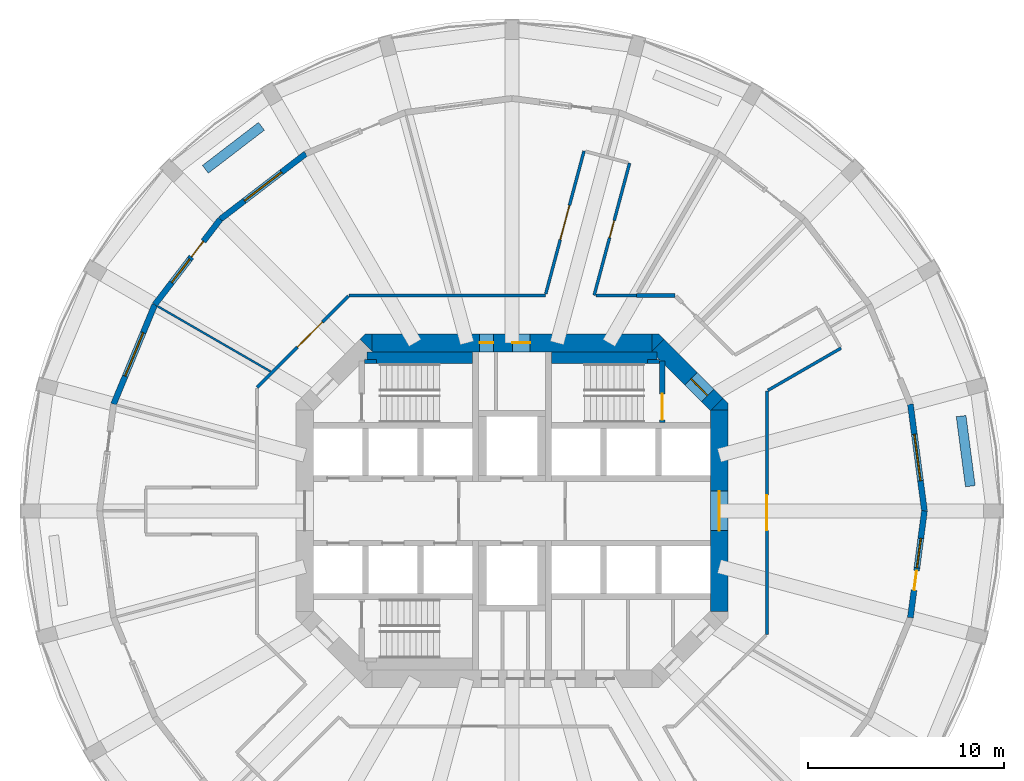
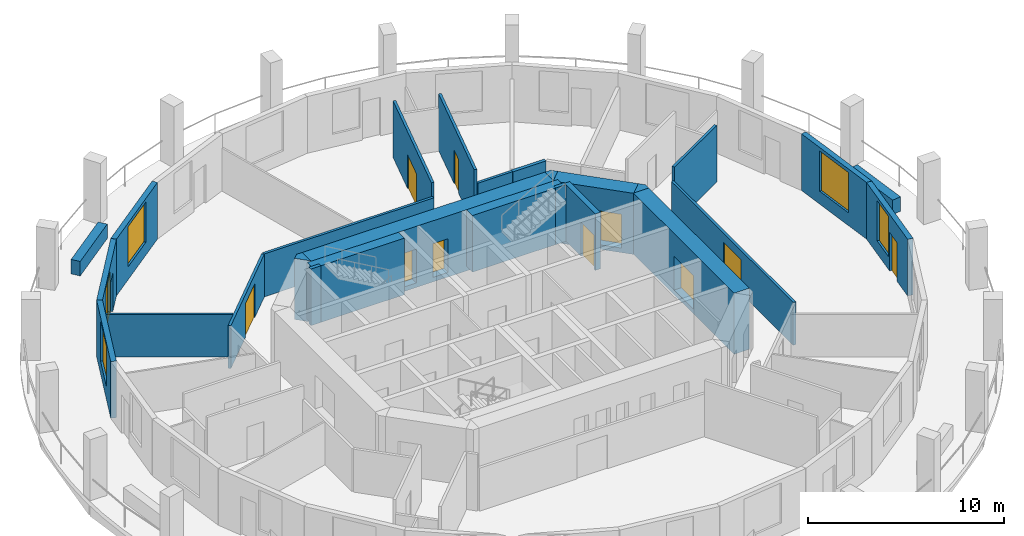
# One storey, part 5 of 8: 27 walls, 11 doors, 5 windows, 16 openings.
"""IFC4 building model written with IfcOpenShell, lengths in metres."""

from ifc_helpers import new_model, si_unit, direction, frame, frame_2d, origin, place, context, subcontext, project, spatial, polyline, rectangle, outline, extrude, material, layer, layer_set, type_object, element, fill, save


model = new_model("IFC4")

# Units and contexts
model_context = context("Model", 3, precision=1e-05, world=origin(), true_north=direction((0.0, 1.0)))
body_context = subcontext(model_context, "Body", "Model", "MODEL_VIEW")
ifc_project = project(units=[si_unit("LENGTHUNIT", "METRE"), si_unit("AREAUNIT", "SQUARE_METRE"), si_unit("VOLUMEUNIT", "CUBIC_METRE"), si_unit("PLANEANGLEUNIT", "RADIAN"), si_unit("MASSUNIT", "GRAM", prefix="KILO")], contexts=[model_context])

# Site, building, storey
site_placement = place(None, origin())
site = spatial("IfcSite", under=ifc_project, at=site_placement, CompositionType="ELEMENT")
building_placement = place(site_placement, origin())
building = spatial("IfcBuilding", under=site, at=building_placement, Name="Torre Triforio", CompositionType="ELEMENT")
storey_placement = place(building_placement, frame((0.0, 0.0, 139.0)))
storey = spatial("IfcBuildingStorey", under=building, at=storey_placement, Name="L31", CompositionType="ELEMENT", Elevation=139.0)

# Wall, openings, doors
ifc_material_1 = material(Name="Concrete C60", Category="concrete")
ifc_layer_1 = layer(ifc_material_1, 0.89990234375)
ifc_layer_set_1 = layer_set([ifc_layer_1], Name="Concrete C60")
wall_type_1 = type_object("IfcWallType", Name="Core wall 900 mm C60 EI 120", PredefinedType="SHEAR", material=ifc_layer_set_1)
wall_1_placement = place(storey_placement, frame((-7.1298828125, 8.550048828125, -0.280029296875), z_axis=(0.0, 0.0, 1.0), x_axis=(1.0, 0.0, 0.0)))
wall_1 = element("IfcWall", 1, at=wall_1_placement, inside=storey, type_object=wall_type_1, Name="Core wall", PredefinedType="SHEAR", context=body_context, shape_type="SweptSolid", body=[
    extrude(rectangle(XDim=14.259765625, YDim=0.89990234375, at=frame_2d((7.1298828125, 0.0))), origin(), (0.0, 0.0, 1.0), 3.800048828125),
])
opening_1_placement = place(wall_1_placement, frame((5.47998046875, 0.0, 0.280029296875)))
opening_1 = element("IfcOpeningElement", 2, at=opening_1_placement, cuts=wall_1, Name="Opening RISER-N", PredefinedType="OPENING", context=body_context, shape_type="SweptSolid", body=[
    extrude(rectangle(XDim=0.699951171875, YDim=2.10009765625, at=frame_2d((0.35009765625, 1.050048828125))), frame((0.0, 0.4599609375, 0.0), z_axis=(0.0, -1.0, 0.0), x_axis=(1.0, 0.0, 0.0)), (0.0, 0.0, 1.0), 0.919921875),
])
opening_2_placement = place(wall_1_placement, frame((7.155029296875, 0.0, 0.280029296875)))
opening_2 = element("IfcOpeningElement", 3, at=opening_2_placement, cuts=wall_1, Name="Opening NE-01", PredefinedType="OPENING", context=body_context, shape_type="SweptSolid", body=[
    extrude(rectangle(XDim=0.89990234375, YDim=2.10009765625, at=frame_2d((0.449951171875, 1.050048828125))), frame((0.0, 0.4599609375, 0.0), z_axis=(0.0, -1.0, 0.0), x_axis=(1.0, 0.0, 0.0)), (0.0, 0.0, 1.0), 0.919921875),
])
ifc_material_2 = material(Name="Hollow metal fire door leaf")
door_type_1 = type_object("IfcDoorType", Name="Riser door 700 x 2100 EI 60", OperationType="NOTDEFINED", PredefinedType="DOOR", material=ifc_material_2)
door_1_placement = place(opening_1_placement, origin())
door_1 = element("IfcDoor", 4, at=door_1_placement, inside=storey, type_object=door_type_1, Name="Core door RISER-N", OperationType="SINGLE_SWING_LEFT", OverallHeight=2.10009765625, OverallWidth=0.699951171875, PredefinedType="DOOR", context=body_context, shape_type="SweptSolid", body=[
    extrude(rectangle(XDim=0.699951171875, YDim=2.10009765625, at=frame_2d((0.35009765625, 1.050048828125))), frame((0.0, 0.02490234375, 0.0), z_axis=(0.0, -1.0, 0.0), x_axis=(1.0, 0.0, 0.0)), (0.0, 0.0, 1.0), 0.050048828125),
])
fill(opening_1, door_1)
door_type_2 = type_object("IfcDoorType", Name="Room door 900 x 2100 EI 60", OperationType="NOTDEFINED", PredefinedType="DOOR", material=ifc_material_2)
door_2_placement = place(opening_2_placement, origin())
door_2 = element("IfcDoor", 5, at=door_2_placement, inside=storey, type_object=door_type_2, Name="Core door NE-01", OperationType="SINGLE_SWING_RIGHT", OverallHeight=2.10009765625, OverallWidth=0.89990234375, PredefinedType="DOOR", context=body_context, shape_type="SweptSolid", body=[
    extrude(rectangle(XDim=0.89990234375, YDim=2.10009765625, at=frame_2d((0.449951171875, 1.050048828125))), frame((0.0, 0.02490234375, 0.0), z_axis=(0.0, -1.0, 0.0), x_axis=(1.0, 0.0, 0.0)), (0.0, 0.0, 1.0), 0.050048828125),
])
fill(opening_2, door_2)

# Wall, opening, door
wall_2_placement = place(storey_placement, frame((10.550048828125, -5.1298828125, -0.280029296875), z_axis=(0.0, 0.0, 1.0), x_axis=(0.0, 1.0, 0.0)))
wall_2 = element("IfcWall", 6, at=wall_2_placement, inside=storey, type_object=wall_type_1, Name="Core wall", PredefinedType="SHEAR", context=body_context, shape_type="SweptSolid", body=[
    extrude(rectangle(XDim=10.259765625, YDim=0.89990234375, at=frame_2d((5.1298828125, 0.0))), origin(), (0.0, 0.0, 1.0), 3.800048828125),
])
opening_3_placement = place(wall_2_placement, frame((4.1298828125, 0.0, 0.280029296875)))
opening_3 = element("IfcOpeningElement", 7, at=opening_3_placement, cuts=wall_2, Name="Opening E-RING", PredefinedType="OPENING", context=body_context, shape_type="SweptSolid", body=[
    extrude(rectangle(XDim=2.0, YDim=2.10009765625, at=frame_2d((1.0, 1.050048828125))), frame((0.0, 0.4599609375, 0.0), z_axis=(0.0, -1.0, 0.0), x_axis=(1.0, 0.0, 0.0)), (0.0, 0.0, 1.0), 0.919921875),
])
door_type_3 = type_object("IfcDoorType", Name="Lobby door 2000 x 2100 EI 60", OperationType="DOUBLE_DOOR_SINGLE_SWING", PredefinedType="DOOR", material=ifc_material_2)
door_3_placement = place(opening_3_placement, origin())
door_3 = element("IfcDoor", 8, at=door_3_placement, inside=storey, type_object=door_type_3, Name="Core door E-RING", OperationType="DOUBLE_DOOR_SINGLE_SWING", OverallHeight=2.10009765625, OverallWidth=2.0, PredefinedType="DOOR", context=body_context, shape_type="SweptSolid", body=[
    extrude(rectangle(XDim=2.0, YDim=2.10009765625, at=frame_2d((1.0, 1.050048828125))), frame((0.0, 0.02490234375, 0.0), z_axis=(0.0, -1.0, 0.0), x_axis=(1.0, 0.0, 0.0)), (0.0, 0.0, 1.0), 0.050048828125),
])
fill(opening_3, door_3)

wall_3_placement = place(storey_placement, frame((7.418212890625, 8.418212890625, -0.280029296875), z_axis=(0.0, 0.0, 1.0), x_axis=(0.707106781187, -0.707106781187, 0.0)))
wall_3 = element("IfcWall", 9, at=wall_3_placement, inside=storey, type_object=wall_type_1, Name="Core wall", PredefinedType="SHEAR", context=body_context, shape_type="SweptSolid", body=[
    extrude(rectangle(XDim=4.24267578125, YDim=0.89990234375, at=frame_2d((2.121337890625, 0.0))), origin(), (0.0, 0.0, 1.0), 3.800048828125),
])
opening_4_placement = place(wall_3_placement, frame((2.392578125, 0.0, 0.280029296875)))
opening_4 = element("IfcOpeningElement", 10, at=opening_4_placement, cuts=wall_3, Name="Opening ST2-EXIT", PredefinedType="OPENING", context=body_context, shape_type="SweptSolid", body=[
    extrude(rectangle(XDim=1.199951171875, YDim=2.10009765625, at=frame_2d((0.60009765625, 1.050048828125))), frame((0.0, 0.4599609375, 0.0), z_axis=(0.0, -1.0, 0.0), x_axis=(1.0, 0.0, 0.0)), (0.0, 0.0, 1.0), 0.919921875),
])
door_type_4 = type_object("IfcDoorType", Name="Stair lobby door 1200 x 2100 EI 60", OperationType="NOTDEFINED", PredefinedType="DOOR", material=ifc_material_2)
door_4_placement = place(opening_4_placement, origin())
door_4 = element("IfcDoor", 11, at=door_4_placement, inside=storey, type_object=door_type_4, Name="Core door ST2-EXIT", OperationType="SINGLE_SWING_RIGHT", OverallHeight=2.10009765625, OverallWidth=1.199951171875, PredefinedType="DOOR", context=body_context, shape_type="SweptSolid", body=[
    extrude(rectangle(XDim=1.199951171875, YDim=2.10009765625, at=frame_2d((0.60009765625, 1.050048828125))), frame((0.0, 0.02490234375, 0.0), z_axis=(0.0, -1.0, 0.0), x_axis=(1.0, 0.0, 0.0)), (0.0, 0.0, 1.0), 0.050048828125),
])
fill(opening_4, door_4)

# Walls
wall_4_placement = place(storey_placement, frame((0.0, 0.0, -0.280029296875)))
element("IfcWall", 12, at=wall_4_placement, inside=storey, type_object=wall_type_1, Name="Core wall", PredefinedType="SHEAR", context=body_context, shape_type="SweptSolid", body=[
    extrude(outline(polyline([(11.0, 5.472900390625), (11.0, 5.1298828125), (10.1298828125, 5.1298828125), (10.736328125, 5.736328125), (11.0, 5.472900390625)])), origin(), (0.0, 0.0, 1.0), 3.800048828125),
])
wall_5_placement = place(storey_placement, frame((0.0, 0.0, -0.280029296875)))
element("IfcWall", 13, at=wall_5_placement, inside=storey, type_object=wall_type_1, Name="Core wall", PredefinedType="SHEAR", context=body_context, shape_type="SweptSolid", body=[
    extrude(outline(polyline([(-7.472900390625, 9.0), (-7.1298828125, 9.0), (-7.1298828125, 8.1298828125), (-7.736328125, 8.736328125), (-7.472900390625, 9.0)])), origin(), (0.0, 0.0, 1.0), 3.800048828125),
])
wall_6_placement = place(storey_placement, frame((0.0, 0.0, -0.280029296875)))
element("IfcWall", 14, at=wall_6_placement, inside=storey, type_object=wall_type_1, Name="Core wall", PredefinedType="SHEAR", context=body_context, shape_type="SweptSolid", body=[
    extrude(outline(polyline([(7.472900390625, 9.0), (7.736328125, 8.736328125), (7.1298828125, 8.1298828125), (7.1298828125, 9.0), (7.472900390625, 9.0)])), origin(), (0.0, 0.0, 1.0), 3.800048828125),
])

# Wall, opening, door
ifc_material_3 = material(Name="Plasterboard on metal studs")
ifc_layer_2 = layer(ifc_material_3, 0.14990234375)
ifc_layer_set_2 = layer_set([ifc_layer_2], Name="Plasterboard on metal studs")
wall_type_2 = type_object("IfcWallType", Name="Corridor and tenancy wall 150 mm EI 60", PredefinedType="PARTITIONING", material=ifc_layer_set_2)
wall_7_placement = place(storey_placement, frame((-12.97509765625, 6.291015625, 0.0), z_axis=(0.0, 0.0, 1.0), x_axis=(0.707125355289, 0.707088206597, 0.0)))
wall_7 = element("IfcWall", 15, at=wall_7_placement, inside=storey, type_object=wall_type_2, Name="Partition 8", PredefinedType="PARTITIONING", context=body_context, shape_type="SweptSolid", body=[
    extrude(rectangle(XDim=6.572021484375, YDim=0.14990234375, at=frame_2d((3.2861328125, 0.0))), origin(), (0.0, 0.0, 1.0), 2.669921875),
])
opening_5_placement = place(wall_7_placement, frame((2.898193359375, 0.0, 0.0)))
opening_5 = element("IfcOpeningElement", 16, at=opening_5_placement, cuts=wall_7, Name="Opening D3-01", PredefinedType="OPENING", context=body_context, shape_type="SweptSolid", body=[
    extrude(rectangle(XDim=1.800048828125, YDim=2.10009765625, at=frame_2d((0.89990234375, 1.050048828125))), frame((0.0, 0.0849609375, 0.0), z_axis=(0.0, -1.0, 0.0), x_axis=(1.0, 0.0, 0.0)), (0.0, 0.0, 1.0), 0.169921875),
])
ifc_material_4 = material(Name="Timber", Category="wood")
door_type_5 = type_object("IfcDoorType", Name="Door 1800 x 2100 double leaf EI 30", OperationType="DOUBLE_DOOR_SINGLE_SWING", PredefinedType="DOOR", material=ifc_material_4)
door_5_placement = place(opening_5_placement, origin())
door_5 = element("IfcDoor", 17, at=door_5_placement, inside=storey, type_object=door_type_5, Name="Door D3-01", OperationType="DOUBLE_DOOR_SINGLE_SWING", OverallHeight=2.10009765625, OverallWidth=1.800048828125, PredefinedType="DOOR", context=body_context, shape_type="SweptSolid", body=[
    extrude(rectangle(XDim=1.800048828125, YDim=2.10009765625, at=frame_2d((0.89990234375, 1.050048828125))), frame((0.0, 0.02490234375, 0.0), z_axis=(0.0, -1.0, 0.0), x_axis=(1.0, 0.0, 0.0)), (0.0, 0.0, 1.0), 0.050048828125),
])
fill(opening_5, door_5)

# Wall
wall_8_placement = place(storey_placement, frame((-8.291015625, 10.97509765625, 0.0), z_axis=(0.0, 0.0, 1.0), x_axis=(1.0, 0.0, 0.0)))
element("IfcWall", 18, at=wall_8_placement, inside=storey, type_object=wall_type_2, Name="Partition 9", PredefinedType="PARTITIONING", context=body_context, shape_type="SweptSolid", body=[
    extrude(rectangle(XDim=9.989501953125, YDim=0.14990234375, at=frame_2d((4.99462890625, 0.0))), origin(), (0.0, 0.0, 1.0), 2.669921875),
])

# Wall, opening, door
wall_9_placement = place(storey_placement, frame((1.71728515625, 11.044921875, 0.0), z_axis=(0.0, 0.0, 1.0), x_axis=(0.258799782893, 0.965930987377, 0.0)))
wall_9 = element("IfcWall", 19, at=wall_9_placement, inside=storey, type_object=wall_type_2, Name="Partition 10", PredefinedType="PARTITIONING", context=body_context, shape_type="SweptSolid", body=[
    extrude(rectangle(XDim=7.53564453125, YDim=0.14990234375, at=frame_2d((3.767822265625, 0.0))), origin(), (0.0, 0.0, 1.0), 3.52001953125),
])
opening_6_placement = place(wall_9_placement, frame((2.867919921875, 0.0, 0.0)))
opening_6 = element("IfcOpeningElement", 20, at=opening_6_placement, cuts=wall_9, Name="Opening D3-13", PredefinedType="OPENING", context=body_context, shape_type="SweptSolid", body=[
    extrude(rectangle(XDim=1.800048828125, YDim=2.10009765625, at=frame_2d((0.89990234375, 1.050048828125))), frame((0.0, 0.0849609375, 0.0), z_axis=(0.0, -1.0, 0.0), x_axis=(1.0, 0.0, 0.0)), (0.0, 0.0, 1.0), 0.169921875),
])
door_6_placement = place(opening_6_placement, origin())
door_6 = element("IfcDoor", 21, at=door_6_placement, inside=storey, type_object=door_type_5, Name="Door D3-13", OperationType="DOUBLE_DOOR_SINGLE_SWING", OverallHeight=2.10009765625, OverallWidth=1.800048828125, PredefinedType="DOOR", context=body_context, shape_type="SweptSolid", body=[
    extrude(rectangle(XDim=1.800048828125, YDim=2.10009765625, at=frame_2d((0.89990234375, 1.050048828125))), frame((0.0, 0.02490234375, 0.0), z_axis=(0.0, -1.0, 0.0), x_axis=(1.0, 0.0, 0.0)), (0.0, 0.0, 1.0), 0.050048828125),
])
fill(opening_6, door_6)

wall_10_placement = place(storey_placement, frame((5.98583984375, 17.70263671875, 0.0), z_axis=(0.0, 0.0, 1.0), x_axis=(-0.258831867169, -0.965922390535, 0.0)))
wall_10 = element("IfcWall", 22, at=wall_10_placement, inside=storey, type_object=wall_type_2, Name="Partition 12", PredefinedType="PARTITIONING", context=body_context, shape_type="SweptSolid", body=[
    extrude(rectangle(XDim=6.96484375, YDim=0.14990234375, at=frame_2d((3.482421875, 0.0))), origin(), (0.0, 0.0, 1.0), 3.52001953125),
])
opening_7_placement = place(wall_10_placement, frame((3.032470703125, 0.0, 0.0)))
opening_7 = element("IfcOpeningElement", 23, at=opening_7_placement, cuts=wall_10, Name="Opening D3-12", PredefinedType="OPENING", context=body_context, shape_type="SweptSolid", body=[
    extrude(rectangle(XDim=0.89990234375, YDim=2.10009765625, at=frame_2d((0.449951171875, 1.050048828125))), frame((0.0, 0.0849609375, 0.0), z_axis=(0.0, -1.0, 0.0), x_axis=(1.0, 0.0, 0.0)), (0.0, 0.0, 1.0), 0.169921875),
])
door_type_6 = type_object("IfcDoorType", Name="Door 900 x 2100 single leaf EI 30", OperationType="NOTDEFINED", PredefinedType="DOOR", material=ifc_material_4)
door_7_placement = place(opening_7_placement, origin())
door_7 = element("IfcDoor", 24, at=door_7_placement, inside=storey, type_object=door_type_6, Name="Door D3-12", OperationType="SINGLE_SWING_RIGHT", OverallHeight=2.10009765625, OverallWidth=0.89990234375, PredefinedType="DOOR", context=body_context, shape_type="SweptSolid", body=[
    extrude(rectangle(XDim=0.89990234375, YDim=2.10009765625, at=frame_2d((0.449951171875, 1.050048828125))), frame((0.0, 0.02490234375, 0.0), z_axis=(0.0, -1.0, 0.0), x_axis=(1.0, 0.0, 0.0)), (0.0, 0.0, 1.0), 0.050048828125),
])
fill(opening_7, door_7)

# Walls
wall_11_placement = place(storey_placement, frame((4.280517578125, 10.97509765625, 0.0), z_axis=(0.0, 0.0, 1.0), x_axis=(1.0, 0.0, 0.0)))
element("IfcWall", 25, at=wall_11_placement, inside=storey, type_object=wall_type_2, Name="Partition 13", PredefinedType="PARTITIONING", context=body_context, shape_type="SweptSolid", body=[
    extrude(rectangle(XDim=2.055908203125, YDim=0.14990234375, at=frame_2d((1.02783203125, 0.0))), origin(), (0.0, 0.0, 1.0), 2.669921875),
])
wall_12_placement = place(storey_placement, frame((16.750244140625, 8.28515625, 0.0), z_axis=(0.0, 0.0, 1.0), x_axis=(-0.866019905438, -0.500009523294, 0.0)))
element("IfcWall", 26, at=wall_12_placement, inside=storey, type_object=wall_type_2, Name="Partition 19", PredefinedType="PARTITIONING", context=body_context, shape_type="SweptSolid", body=[
    extrude(rectangle(XDim=4.29443359375, YDim=0.14990234375, at=frame_2d((2.147216796875, 0.0))), origin(), (0.0, 0.0, 1.0), 3.52001953125),
])

# Wall, opening, door
wall_13_placement = place(storey_placement, frame((12.97509765625, 6.10546875, 0.0), z_axis=(0.0, 0.0, 1.0), x_axis=(0.0, -1.0, 0.0)))
wall_13 = element("IfcWall", 27, at=wall_13_placement, inside=storey, type_object=wall_type_2, Name="Partition 20", PredefinedType="PARTITIONING", context=body_context, shape_type="SweptSolid", body=[
    extrude(rectangle(XDim=12.396484375, YDim=0.14990234375, at=frame_2d((6.1982421875, 0.0))), origin(), (0.0, 0.0, 1.0), 2.669921875),
])
opening_8_placement = place(wall_13_placement, frame((5.298095703125, 0.0, 0.0)))
opening_8 = element("IfcOpeningElement", 28, at=opening_8_placement, cuts=wall_13, Name="Opening D3-09", PredefinedType="OPENING", context=body_context, shape_type="SweptSolid", body=[
    extrude(rectangle(XDim=1.800048828125, YDim=2.10009765625, at=frame_2d((0.89990234375, 1.050048828125))), frame((0.0, 0.0849609375, 0.0), z_axis=(0.0, -1.0, 0.0), x_axis=(1.0, 0.0, 0.0)), (0.0, 0.0, 1.0), 0.169921875),
])
door_8_placement = place(opening_8_placement, origin())
door_8 = element("IfcDoor", 29, at=door_8_placement, inside=storey, type_object=door_type_5, Name="Door D3-09", OperationType="DOUBLE_DOOR_SINGLE_SWING", OverallHeight=2.10009765625, OverallWidth=1.800048828125, PredefinedType="DOOR", context=body_context, shape_type="SweptSolid", body=[
    extrude(rectangle(XDim=1.800048828125, YDim=2.10009765625, at=frame_2d((0.89990234375, 1.050048828125))), frame((0.0, 0.02490234375, 0.0), z_axis=(0.0, -1.0, 0.0), x_axis=(1.0, 0.0, 0.0)), (0.0, 0.0, 1.0), 0.050048828125),
])
fill(opening_8, door_8)

# Walls
ifc_layer_3 = layer(ifc_material_3, 0.10009765625)
ifc_layer_set_3 = layer_set([ifc_layer_3], Name="Plasterboard on metal studs")
wall_type_3 = type_object("IfcWallType", Name="Partition 100 mm board on metal studs", PredefinedType="PARTITIONING", material=ifc_layer_set_3)
wall_14_placement = place(storey_placement, frame((-12.294189453125, 7.097900390625, 0.0), z_axis=(0.0, 0.0, 1.0), x_axis=(-0.866010486135, 0.500025837236, 0.0)))
element("IfcWall", 30, at=wall_14_placement, inside=storey, type_object=wall_type_3, Name="Partition 35", PredefinedType="PARTITIONING", context=body_context, shape_type="SweptSolid", body=[
    extrude(rectangle(XDim=6.640869140625, YDim=0.10009765625, at=frame_2d((3.3203125, 0.0))), origin(), (0.0, 0.0, 1.0), 2.669921875),
])
ifc_material_5 = material(Name="Masonry block", Category="masonry")
ifc_layer_4 = layer(ifc_material_5, 0.199951171875)
ifc_layer_set_4 = layer_set([ifc_layer_4], Name="Masonry block")
wall_type_4 = type_object("IfcWallType", Name="Plant room wall 200 mm block EI 120", PredefinedType="PARTITIONING", material=ifc_layer_set_4)
wall_15_placement = place(storey_placement, frame((6.33642578125, 10.97509765625, 0.0), z_axis=(0.0, 0.0, 1.0), x_axis=(1.0, 0.0, 0.0)))
element("IfcWall", 31, at=wall_15_placement, inside=storey, type_object=wall_type_4, Name="Partition 14", PredefinedType="PARTITIONING", context=body_context, shape_type="SweptSolid", body=[
    extrude(rectangle(XDim=1.95458984375, YDim=0.199951171875, at=frame_2d((0.977294921875, 0.0))), origin(), (0.0, 0.0, 1.0), 2.669921875),
])
ifc_material_6 = material(Name="Limestone cladding", Category="masonry")
ifc_layer_5 = layer(ifc_material_6, 0.10009765625)
ifc_material_7 = material(Name="Concrete C40", Category="concrete")
ifc_layer_6 = layer(ifc_material_7, 0.39990234375)
ifc_layer_set_5 = layer_set([ifc_layer_5, ifc_layer_6], Name="Limestone cladding / Concrete C40")
wall_type_5 = type_object("IfcWallType", Name="Planter wall 500", PredefinedType="PARAPET", material=ifc_layer_set_5)
for number, where, z_axis, x_axis, name in (
    (32, (23.335693359375, 1.256591796875, 0.0), (0.0, 0.0, 1.0), (-0.130542222659, 0.991442750795, 0.0), "Planter L31 bay 01"),
    (33, (-12.756103515625, 19.580810546875, 0.0), (0.0, 0.0, 1.0), (-0.793384730612, -0.608720518162, 0.0), "Planter L31 bay 09"),
):
    element("IfcWall", number, at=place(storey_placement, frame(where, z_axis=z_axis, x_axis=x_axis)), inside=storey, type_object=wall_type_5, Name=name, PredefinedType="PARAPET", context=body_context, shape_type="SweptSolid", body=[
        extrude(rectangle(XDim=3.60009765625, YDim=0.5, at=frame_2d((1.800048828125, 0.0))), origin(), (0.0, 0.0, 1.0), 0.89990234375),
    ])
ifc_layer_7 = layer(ifc_material_1, 0.199951171875)
ifc_layer_set_6 = layer_set([ifc_layer_7], Name="Concrete C60")
wall_type_6 = type_object("IfcWallType", Name="Stair wall 200 mm C60 EI 120", PredefinedType="SHEAR", material=ifc_layer_set_6)
for number, where, z_axis, x_axis, name in (
    (34, (-7.5, 7.60009765625, 0.0), (0.0, 0.0, 1.0), (1.0, 0.0, 0.0), "Stair wall"),
    (35, (6.89990234375, 7.60009765625, 0.0), (0.0, 0.0, 1.0), (1.0, 0.0, 0.0), "Stair wall"),
):
    element("IfcWall", number, at=place(storey_placement, frame(where, z_axis=z_axis, x_axis=x_axis)), inside=storey, type_object=wall_type_6, Name=name, PredefinedType="SHEAR", context=body_context, shape_type="SweptSolid", body=[
        extrude(rectangle(XDim=0.60009765625, YDim=0.199951171875, at=frame_2d((0.300048828125, 0.0))), origin(), (0.0, 0.0, 1.0), 3.52001953125),
    ])

# Wall, opening, door
ifc_layer_8 = layer(ifc_material_1, 0.300048828125)
ifc_layer_set_7 = layer_set([ifc_layer_8], Name="Concrete C60")
wall_type_7 = type_object("IfcWallType", Name="Stair wall 300 mm C60 EI 120", PredefinedType="SHEAR", material=ifc_layer_set_7)
wall_16_placement = place(storey_placement, frame((7.64990234375, 4.5, 0.0), z_axis=(0.0, 0.0, 1.0), x_axis=(0.0, 1.0, 0.0)))
wall_16 = element("IfcWall", 36, at=wall_16_placement, inside=storey, type_object=wall_type_7, Name="Stair wall", PredefinedType="SHEAR", context=body_context, shape_type="SweptSolid", body=[
    extrude(rectangle(XDim=3.139892578125, YDim=0.300048828125, at=frame_2d((1.56982421875, 0.0))), origin(), (0.0, 0.0, 1.0), 3.52001953125),
])
opening_9_placement = place(wall_16_placement, frame((0.139892578125, 0.0, 0.0)))
opening_9 = element("IfcOpeningElement", 37, at=opening_9_placement, cuts=wall_16, Name="Opening ST2-STA", PredefinedType="OPENING", context=body_context, shape_type="SweptSolid", body=[
    extrude(rectangle(XDim=1.320068359375, YDim=2.10009765625, at=frame_2d((0.66015625, 1.050048828125))), frame((0.0, 0.159912109375, 0.0), z_axis=(0.0, -1.0, 0.0), x_axis=(1.0, 0.0, 0.0)), (0.0, 0.0, 1.0), 0.320068359375),
])
door_type_7 = type_object("IfcDoorType", Name="Stair door 1320 x 2100 EI 90", OperationType="DOUBLE_DOOR_SINGLE_SWING", PredefinedType="DOOR", material=ifc_material_2)
door_9_placement = place(opening_9_placement, origin())
door_9 = element("IfcDoor", 38, at=door_9_placement, inside=storey, type_object=door_type_7, Name="Core door ST2-ST", OperationType="DOUBLE_DOOR_SINGLE_SWING", OverallHeight=2.10009765625, OverallWidth=1.320068359375, PredefinedType="DOOR", context=body_context, shape_type="SweptSolid", body=[
    extrude(rectangle(XDim=1.320068359375, YDim=2.10009765625, at=frame_2d((0.66015625, 1.050048828125))), frame((0.0, 0.02490234375, 0.0), z_axis=(0.0, -1.0, 0.0), x_axis=(1.0, 0.0, 0.0)), (0.0, 0.0, 1.0), 0.050048828125),
])
fill(opening_9, door_9)

# Walls
ifc_layer_9 = layer(ifc_material_1, 0.60009765625)
ifc_layer_set_8 = layer_set([ifc_layer_9], Name="Concrete C60")
wall_type_8 = type_object("IfcWallType", Name="Stair wall 600 mm C60 EI 120", PredefinedType="SHEAR", material=ifc_layer_set_8)
for number, where, z_axis, x_axis, name in (
    (39, (-7.3701171875, 7.800048828125, 0.0), (0.0, 0.0, 1.0), (1.0, 0.0, 0.0), "Stair wall"),
    (40, (2.0, 7.800048828125, 0.0), (0.0, 0.0, 1.0), (1.0, 0.0, 0.0), "Stair wall"),
):
    element("IfcWall", number, at=place(storey_placement, frame(where, z_axis=z_axis, x_axis=x_axis)), inside=storey, type_object=wall_type_8, Name=name, PredefinedType="SHEAR", context=body_context, shape_type="SweptSolid", body=[
        extrude(rectangle(XDim=5.3701171875, YDim=0.60009765625, at=frame_2d((2.68505859375, 0.0))), origin(), (0.0, 0.0, 1.0), 3.52001953125),
    ])

# Wall, opening, window
ifc_layer_10 = layer(ifc_material_6, 0.10009765625)
ifc_layer_11 = layer(ifc_material_7, 0.199951171875)
ifc_layer_set_9 = layer_set([ifc_layer_10, ifc_layer_11], Name="Limestone cladding / Concrete C40")
wall_type_9 = type_object("IfcWallType", Name="Stone-faced composite wall 300", PredefinedType="STANDARD", material=ifc_layer_set_9)
wall_17_placement = place(storey_placement, frame((21.0, 0.0, 0.0), z_axis=(0.0, 0.0, 1.0), x_axis=(-0.130527087244, 0.991444743541, 0.0)))
wall_17 = element("IfcWall", 41, at=wall_17_placement, inside=storey, type_object=wall_type_9, Name="External wall L31 bay 01", PredefinedType="STANDARD", context=body_context, shape_type="SweptSolid", body=[
    extrude(rectangle(XDim=5.482177734375, YDim=0.300048828125, at=frame_2d((2.7412109375, 0.0))), origin(), (0.0, 0.0, 1.0), 3.52001953125),
])
opening_10_placement = place(wall_17_placement, frame((1.541015625, 0.0, 0.800048828125)))
opening_10 = element("IfcOpeningElement", 42, at=opening_10_placement, cuts=wall_17, Name="Opening D3-W01", PredefinedType="OPENING", context=body_context, shape_type="SweptSolid", body=[
    extrude(rectangle(XDim=2.39990234375, YDim=2.5, at=frame_2d((1.199951171875, 1.25))), frame((0.0, 0.159912109375, 0.0), z_axis=(0.0, -1.0, 0.0), x_axis=(1.0, 0.0, 0.0)), (0.0, 0.0, 1.0), 0.320068359375),
])
ifc_material_8 = material(Name="Aluminium frame with clear double glazing", Category="aluminium")
window_type_1 = type_object("IfcWindowType", Name="Punched window 2400 x 2500", PartitioningType="DOUBLE_PANEL_VERTICAL", PredefinedType="WINDOW", material=ifc_material_8)
window_1_placement = place(opening_10_placement, origin())
window_1 = element("IfcWindow", 43, at=window_1_placement, inside=storey, type_object=window_type_1, Name="Window EWN3 L31 bay 01", OverallHeight=2.5, OverallWidth=2.39990234375, PartitioningType="SINGLE_PANEL", PredefinedType="WINDOW", context=body_context, shape_type="SweptSolid", body=[
    extrude(rectangle(XDim=2.39990234375, YDim=2.5, at=frame_2d((1.199951171875, 1.25))), frame((0.0, 0.030029296875, 0.0), z_axis=(0.0, -1.0, 0.0), x_axis=(1.0, 0.0, 0.0)), (0.0, 0.0, 1.0), 0.06005859375),
])
fill(opening_10, window_1)

wall_18_placement = place(storey_placement, frame((-10.5, 18.1865234375, 0.0), z_axis=(0.0, 0.0, 1.0), x_axis=(-0.793335336593, -0.608784891166, 0.0)))
wall_18 = element("IfcWall", 44, at=wall_18_placement, inside=storey, type_object=wall_type_9, Name="External wall L31 bay 09", PredefinedType="STANDARD", context=body_context, shape_type="SweptSolid", body=[
    extrude(rectangle(XDim=5.482177734375, YDim=0.300048828125, at=frame_2d((2.7412109375, 0.0))), origin(), (0.0, 0.0, 1.0), 3.52001953125),
])
opening_11_placement = place(wall_18_placement, frame((1.541015625, 0.0, 0.800048828125)))
opening_11 = element("IfcOpeningElement", 45, at=opening_11_placement, cuts=wall_18, Name="Opening D3-W09", PredefinedType="OPENING", context=body_context, shape_type="SweptSolid", body=[
    extrude(rectangle(XDim=2.39990234375, YDim=2.5, at=frame_2d((1.199951171875, 1.25))), frame((0.0, 0.159912109375, 0.0), z_axis=(0.0, -1.0, 0.0), x_axis=(1.0, 0.0, 0.0)), (0.0, 0.0, 1.0), 0.320068359375),
])
window_2_placement = place(opening_11_placement, origin())
window_2 = element("IfcWindow", 46, at=window_2_placement, inside=storey, type_object=window_type_1, Name="Window EWN3 L31 bay 09", OverallHeight=2.5, OverallWidth=2.39990234375, PartitioningType="SINGLE_PANEL", PredefinedType="WINDOW", context=body_context, shape_type="SweptSolid", body=[
    extrude(rectangle(XDim=2.39990234375, YDim=2.5, at=frame_2d((1.199951171875, 1.25))), frame((0.0, 0.030029296875, 0.0), z_axis=(0.0, -1.0, 0.0), x_axis=(1.0, 0.0, 0.0)), (0.0, 0.0, 1.0), 0.06005859375),
])
fill(opening_11, window_2)

# Wall, openings, door, window
wall_19_placement = place(storey_placement, frame((-14.84912109375, 14.84912109375, 0.0), z_axis=(0.0, 0.0, 1.0), x_axis=(-0.608784891166, -0.793335336593, 0.0)))
wall_19 = element("IfcWall", 47, at=wall_19_placement, inside=storey, type_object=wall_type_9, Name="External wall L31 bay 10", PredefinedType="STANDARD", context=body_context, shape_type="SweptSolid", body=[
    extrude(rectangle(XDim=5.482177734375, YDim=0.300048828125, at=frame_2d((2.7412109375, 0.0))), origin(), (0.0, 0.0, 1.0), 3.52001953125),
])
opening_12_placement = place(wall_19_placement, frame((1.416015625, 0.0, 0.0)))
opening_12 = element("IfcOpeningElement", 48, at=opening_12_placement, cuts=wall_19, Name="Opening D3-D10", PredefinedType="OPENING", context=body_context, shape_type="SweptSolid", body=[
    extrude(rectangle(XDim=1.0, YDim=2.39990234375, at=frame_2d((0.5, 1.199951171875))), frame((0.0, 0.159912109375, 0.0), z_axis=(0.0, -1.0, 0.0), x_axis=(1.0, 0.0, 0.0)), (0.0, 0.0, 1.0), 0.320068359375),
])
opening_13_placement = place(wall_19_placement, frame((2.56591796875, 0.0, 0.800048828125)))
opening_13 = element("IfcOpeningElement", 49, at=opening_13_placement, cuts=wall_19, Name="Opening D3-W10A", PredefinedType="OPENING", context=body_context, shape_type="SweptSolid", body=[
    extrude(rectangle(XDim=1.5, YDim=2.5, at=frame_2d((0.75, 1.25))), frame((0.0, 0.159912109375, 0.0), z_axis=(0.0, -1.0, 0.0), x_axis=(1.0, 0.0, 0.0)), (0.0, 0.0, 1.0), 0.320068359375),
])
door_type_8 = type_object("IfcDoorType", Name="Loggia door 1000 x 2400", OperationType="NOTDEFINED", PredefinedType="DOOR", material=ifc_material_8)
door_10_placement = place(opening_12_placement, origin())
door_10 = element("IfcDoor", 50, at=door_10_placement, inside=storey, type_object=door_type_8, Name="Loggia door L31 bay 10", OperationType="SINGLE_SWING_LEFT", OverallHeight=2.39990234375, OverallWidth=1.0, PredefinedType="DOOR", context=body_context, shape_type="SweptSolid", body=[
    extrude(rectangle(XDim=1.0, YDim=2.39990234375, at=frame_2d((0.5, 1.199951171875))), frame((0.0, 0.02490234375, 0.0), z_axis=(0.0, -1.0, 0.0), x_axis=(1.0, 0.0, 0.0)), (0.0, 0.0, 1.0), 0.050048828125),
])
fill(opening_12, door_10)
window_type_2 = type_object("IfcWindowType", Name="Side window 1500 x 2500", PartitioningType="SINGLE_PANEL", PredefinedType="WINDOW", material=ifc_material_8)
window_3_placement = place(opening_13_placement, origin())
window_3 = element("IfcWindow", 51, at=window_3_placement, inside=storey, type_object=window_type_2, Name="Side window EWN13 L31 bay 10", OverallHeight=2.5, OverallWidth=1.5, PartitioningType="SINGLE_PANEL", PredefinedType="WINDOW", context=body_context, shape_type="SweptSolid", body=[
    extrude(rectangle(XDim=1.5, YDim=2.5, at=frame_2d((0.75, 1.25))), frame((0.0, 0.030029296875, 0.0), z_axis=(0.0, -1.0, 0.0), x_axis=(1.0, 0.0, 0.0)), (0.0, 0.0, 1.0), 0.06005859375),
])
fill(opening_13, window_3)

# Wall, opening, window
wall_20_placement = place(storey_placement, frame((-18.1865234375, 10.5, 0.0), z_axis=(0.0, 0.0, 1.0), x_axis=(-0.382688740813, -0.923877333662, 0.0)))
wall_20 = element("IfcWall", 52, at=wall_20_placement, inside=storey, type_object=wall_type_9, Name="External wall L31 bay 11", PredefinedType="STANDARD", context=body_context, shape_type="SweptSolid", body=[
    extrude(rectangle(XDim=5.48193359375, YDim=0.300048828125, at=frame_2d((2.740966796875, 0.0))), origin(), (0.0, 0.0, 1.0), 3.52001953125),
])
opening_14_placement = place(wall_20_placement, frame((1.541015625, 0.0, 0.800048828125)))
opening_14 = element("IfcOpeningElement", 53, at=opening_14_placement, cuts=wall_20, Name="Opening D3-W11", PredefinedType="OPENING", context=body_context, shape_type="SweptSolid", body=[
    extrude(rectangle(XDim=2.39990234375, YDim=2.5, at=frame_2d((1.199951171875, 1.25))), frame((0.0, 0.159912109375, 0.0), z_axis=(0.0, -1.0, 0.0), x_axis=(1.0, 0.0, 0.0)), (0.0, 0.0, 1.0), 0.320068359375),
])
window_4_placement = place(opening_14_placement, origin())
window_4 = element("IfcWindow", 54, at=window_4_placement, inside=storey, type_object=window_type_1, Name="Window EWN3 L31 bay 11", OverallHeight=2.5, OverallWidth=2.39990234375, PartitioningType="SINGLE_PANEL", PredefinedType="WINDOW", context=body_context, shape_type="SweptSolid", body=[
    extrude(rectangle(XDim=2.39990234375, YDim=2.5, at=frame_2d((1.199951171875, 1.25))), frame((0.0, 0.030029296875, 0.0), z_axis=(0.0, -1.0, 0.0), x_axis=(1.0, 0.0, 0.0)), (0.0, 0.0, 1.0), 0.06005859375),
])
fill(opening_14, window_4)

# Wall, openings, door, window
wall_21_placement = place(storey_placement, frame((20.284423828125, -5.435302734375, 0.0), z_axis=(0.0, 0.0, 1.0), x_axis=(0.130527087244, 0.991444743541, 0.0)))
wall_21 = element("IfcWall", 55, at=wall_21_placement, inside=storey, type_object=wall_type_9, Name="External wall L31 bay 24", PredefinedType="STANDARD", context=body_context, shape_type="SweptSolid", body=[
    extrude(rectangle(XDim=5.482177734375, YDim=0.300048828125, at=frame_2d((2.7412109375, 0.0))), origin(), (0.0, 0.0, 1.0), 3.52001953125),
])
opening_15_placement = place(wall_21_placement, frame((1.416015625, 0.0, 0.0)))
opening_15 = element("IfcOpeningElement", 56, at=opening_15_placement, cuts=wall_21, Name="Opening D3-D24", PredefinedType="OPENING", context=body_context, shape_type="SweptSolid", body=[
    extrude(rectangle(XDim=1.0, YDim=2.39990234375, at=frame_2d((0.5, 1.199951171875))), frame((0.0, 0.159912109375, 0.0), z_axis=(0.0, -1.0, 0.0), x_axis=(1.0, 0.0, 0.0)), (0.0, 0.0, 1.0), 0.320068359375),
])
opening_16_placement = place(wall_21_placement, frame((2.566162109375, 0.0, 0.800048828125)))
opening_16 = element("IfcOpeningElement", 57, at=opening_16_placement, cuts=wall_21, Name="Opening D3-W24A", PredefinedType="OPENING", context=body_context, shape_type="SweptSolid", body=[
    extrude(rectangle(XDim=1.5, YDim=2.5, at=frame_2d((0.75, 1.25))), frame((0.0, 0.159912109375, 0.0), z_axis=(0.0, -1.0, 0.0), x_axis=(1.0, 0.0, 0.0)), (0.0, 0.0, 1.0), 0.320068359375),
])
door_11_placement = place(opening_15_placement, origin())
door_11 = element("IfcDoor", 58, at=door_11_placement, inside=storey, type_object=door_type_8, Name="Loggia door L31 bay 24", OperationType="SINGLE_SWING_LEFT", OverallHeight=2.39990234375, OverallWidth=1.0, PredefinedType="DOOR", context=body_context, shape_type="SweptSolid", body=[
    extrude(rectangle(XDim=1.0, YDim=2.39990234375, at=frame_2d((0.5, 1.199951171875))), frame((0.0, 0.02490234375, 0.0), z_axis=(0.0, -1.0, 0.0), x_axis=(1.0, 0.0, 0.0)), (0.0, 0.0, 1.0), 0.050048828125),
])
fill(opening_15, door_11)
window_5_placement = place(opening_16_placement, origin())
window_5 = element("IfcWindow", 59, at=window_5_placement, inside=storey, type_object=window_type_2, Name="Side window EWN13 L31 bay 24", OverallHeight=2.5, OverallWidth=1.5, PartitioningType="SINGLE_PANEL", PredefinedType="WINDOW", context=body_context, shape_type="SweptSolid", body=[
    extrude(rectangle(XDim=1.5, YDim=2.5, at=frame_2d((0.75, 1.25))), frame((0.0, 0.030029296875, 0.0), z_axis=(0.0, -1.0, 0.0), x_axis=(1.0, 0.0, 0.0)), (0.0, 0.0, 1.0), 0.06005859375),
])
fill(opening_16, window_5)

save(model, "model.ifc")
